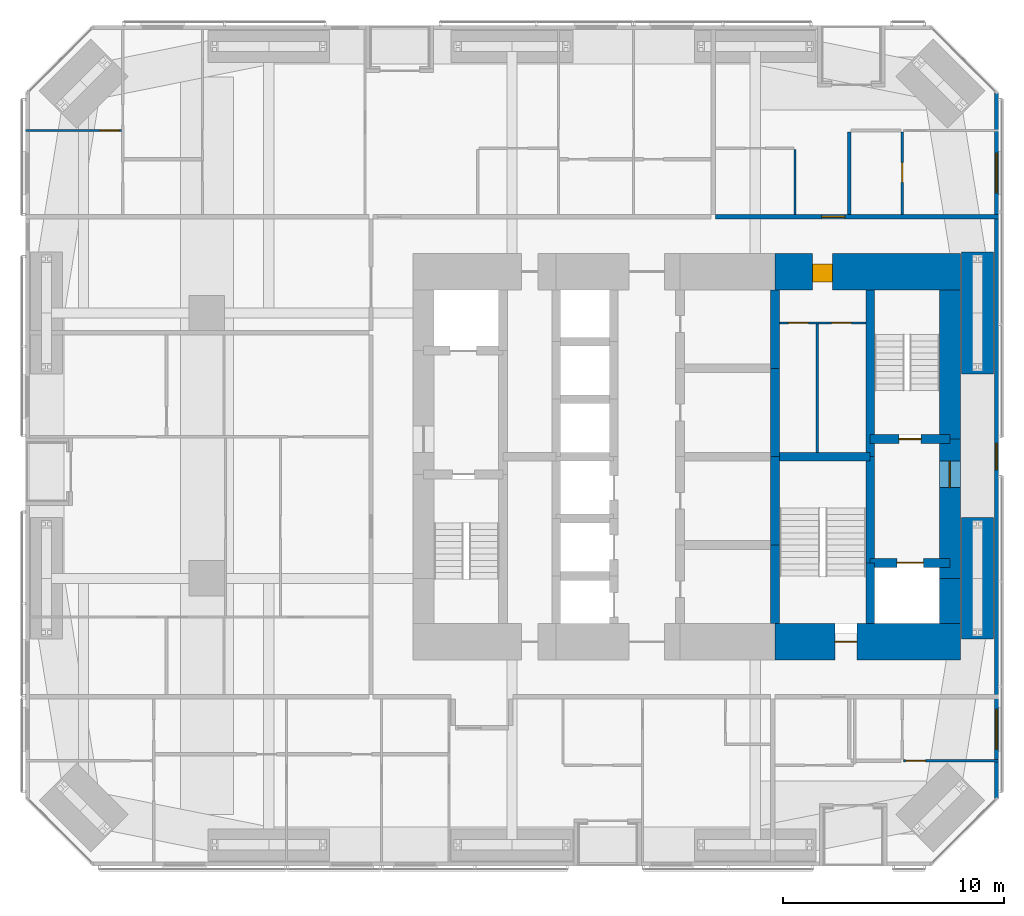
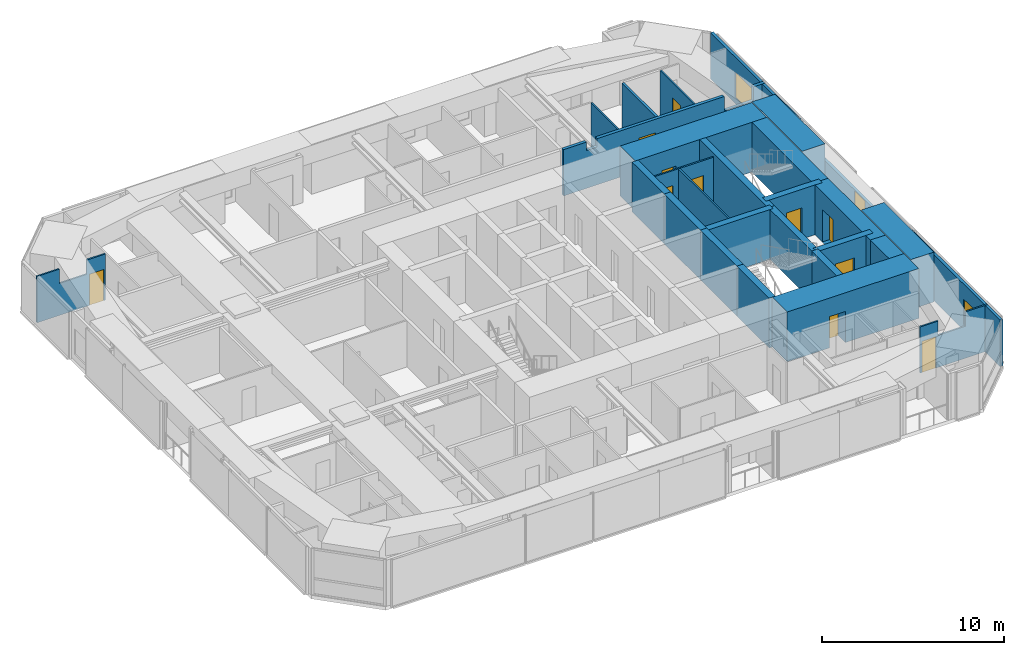
# One storey, part 21 of 24: 26 walls, 11 doors, 3 windows, 14 openings.
"""IFC4 building model written with IfcOpenShell, lengths in metres."""

from ifc_helpers import new_model, si_unit, direction, frame, frame_2d, origin, place, context, subcontext, project, spatial, polyline, rectangle, outline, extrude, material, layer, layer_set, constituent, constituent_set, type_object, element, fill, save


model = new_model("IFC4")

# Units and contexts
model_context = context("Model", 3, precision=1e-05, world=origin(), true_north=direction((0.0, 1.0)))
body_context = subcontext(model_context, "Body", "Model", "MODEL_VIEW")
ifc_project = project(units=[si_unit("LENGTHUNIT", "METRE"), si_unit("AREAUNIT", "SQUARE_METRE"), si_unit("VOLUMEUNIT", "CUBIC_METRE"), si_unit("PLANEANGLEUNIT", "RADIAN"), si_unit("MASSUNIT", "GRAM", prefix="KILO")], contexts=[model_context])

# Site, building, storey
site_placement = place(None, origin())
site = spatial("IfcSite", under=ifc_project, at=site_placement, CompositionType="ELEMENT")
building_placement = place(site_placement, origin())
building = spatial("IfcBuilding", under=site, at=building_placement, Name="Jalousie Tower", CompositionType="ELEMENT")
storey_placement = place(building_placement, frame((0.0, 0.0, 61.199951171875)))
storey = spatial("IfcBuildingStorey", under=building, at=storey_placement, Name="L16", CompositionType="ELEMENT", Elevation=61.199951171875)

# Wall
ifc_material_1 = material(Name="Concrete block ASTM C90", Category="concrete")
ifc_constituent_1 = constituent(ifc_material_1, Name="Body")
ifc_material_2 = material(Name="Render")
ifc_constituent_2 = constituent(ifc_material_2, Name="Finish")
ifc_constituent_set_1 = constituent_set(constituents=[ifc_constituent_1, ifc_constituent_2])
wall_type_1 = type_object("IfcWallType", Name="BATHROOM WALL 150", PredefinedType="PLUMBINGWALL", material=ifc_constituent_set_1)
wall_1_placement = place(storey_placement, frame((39.25, 33.17822265625, 0.0), z_axis=(0.0, 0.0, 1.0), x_axis=(0.0, -1.0, 0.0)))
element("IfcWall", 1, at=wall_1_placement, inside=storey, type_object=wall_type_1, Name="Bathroom Wall 150 L16", PredefinedType="PLUMBINGWALL", context=body_context, shape_type="SweptSolid", body=[
    extrude(rectangle(XDim=3.728271484375, YDim=0.14990234375, at=frame_2d((1.8642578125, 0.0))), origin(), (0.0, 0.0, 1.0), 3.110107421875),
])

# Wall, opening, door
ifc_material_3 = material(Name="Concrete f'c 120 MPa", Category="concrete")
ifc_layer_1 = layer(ifc_material_3, 1.64990234375)
ifc_layer_set_1 = layer_set([ifc_layer_1], Name="Concrete f'c 120 MPa")
wall_type_2 = type_object("IfcWallType", Name="CORE WALL 1650", PredefinedType="SHEAR", material=ifc_layer_set_1)
wall_2_placement = place(storey_placement, frame((35.89990234375, 10.125, 0.0), z_axis=(0.0, 0.0, 1.0), x_axis=(1.0, 0.0, 0.0)))
wall_2 = element("IfcWall", 2, at=wall_2_placement, inside=storey, type_object=wall_type_2, Name="Core wall SD L16", PredefinedType="SHEAR", context=body_context, shape_type="SweptSolid", body=[
    extrude(rectangle(XDim=8.375, YDim=1.64990234375, at=frame_2d((4.1875, 0.0))), origin(), (0.0, 0.0, 1.0), 3.35009765625),
])
opening_1_placement = place(wall_2_placement, frame((2.699951171875, 0.0, 0.0)))
opening_1 = element("IfcOpeningElement", 3, at=opening_1_placement, cuts=wall_2, Name="Opening D10", PredefinedType="OPENING", context=body_context, shape_type="SweptSolid", body=[
    extrude(rectangle(XDim=1.0, YDim=2.10009765625, at=frame_2d((0.5, 1.050048828125))), frame((0.0, 0.8349609375, 0.0), z_axis=(0.0, -1.0, 0.0), x_axis=(1.0, 0.0, 0.0)), (0.0, 0.0, 1.0), 1.669921875),
])
ifc_material_4 = material(Name="Steel fire door", Category="steel")
door_type_1 = type_object("IfcDoorType", Name="STAIR DOOR 1000", OperationType="SINGLE_SWING_LEFT", PredefinedType="DOOR", material=ifc_material_4)
door_1_placement = place(opening_1_placement, origin())
door_1 = element("IfcDoor", 4, at=door_1_placement, inside=storey, type_object=door_type_1, Name="Exit stair C door", OperationType="SINGLE_SWING_RIGHT", OverallHeight=2.10009765625, OverallWidth=1.0, PredefinedType="DOOR", context=body_context, shape_type="SweptSolid", body=[
    extrude(rectangle(XDim=1.0, YDim=2.10009765625, at=frame_2d((0.5, 1.050048828125))), frame((0.0, 0.02490234375, 0.0), z_axis=(0.0, -1.0, 0.0), x_axis=(1.0, 0.0, 0.0)), (0.0, 0.0, 1.0), 0.050048828125),
])
fill(opening_1, door_1)

wall_3_placement = place(storey_placement, frame((44.27490234375, 26.875, 0.0), z_axis=(0.0, 0.0, 1.0), x_axis=(-1.0, 0.0, 0.0)))
wall_3 = element("IfcWall", 5, at=wall_3_placement, inside=storey, type_object=wall_type_2, Name="Core wall NA L16", PredefinedType="SHEAR", context=body_context, shape_type="SweptSolid", body=[
    extrude(rectangle(XDim=8.375, YDim=1.64990234375, at=frame_2d((4.1875, 0.0))), origin(), (0.0, 0.0, 1.0), 3.35009765625),
])
opening_2_placement = place(wall_3_placement, frame((5.77490234375, 0.0, 0.0)))
opening_2 = element("IfcOpeningElement", 6, at=opening_2_placement, cuts=wall_3, Name="Opening D25", PredefinedType="OPENING", context=body_context, shape_type="SweptSolid", body=[
    extrude(rectangle(XDim=0.89990234375, YDim=2.10009765625, at=frame_2d((0.449951171875, 1.050048828125))), frame((0.0, 0.8349609375, 0.0), z_axis=(0.0, -1.0, 0.0), x_axis=(1.0, 0.0, 0.0)), (0.0, 0.0, 1.0), 1.669921875),
])
ifc_material_5 = material(Name="Steel fire door", Category="steel")
door_type_2 = type_object("IfcDoorType", Name="SERVICE LOBBY DOOR 900", OperationType="SINGLE_SWING_LEFT", PredefinedType="DOOR", material=ifc_material_5)
door_2_placement = place(opening_2_placement, origin())
door_2 = element("IfcDoor", 7, at=door_2_placement, inside=storey, type_object=door_type_2, Name="Service lobby door", OperationType="SINGLE_SWING_RIGHT", OverallHeight=2.10009765625, OverallWidth=0.89990234375, PredefinedType="DOOR", context=body_context, shape_type="SweptSolid", body=[
    extrude(rectangle(XDim=0.89990234375, YDim=2.10009765625, at=frame_2d((0.449951171875, 1.050048828125))), frame((0.0, 0.47021484375, 0.0), z_axis=(0.0, -1.0, 0.0), x_axis=(1.0, 0.0, 0.0)), (0.0, 0.0, 1.0), 0.800048828125),
])
fill(opening_2, door_2)

# Walls
ifc_material_6 = material(Name="Concrete f'c 120 MPa", Category="concrete")
ifc_layer_2 = layer(ifc_material_6, 0.39990234375)
ifc_layer_set_2 = layer_set([ifc_layer_2], Name="Concrete f'c 120 MPa")
wall_type_3 = type_object("IfcWallType", Name="CORE WALL 400", PredefinedType="SHEAR", material=ifc_layer_set_2)
wall_4_placement = place(storey_placement, frame((35.89990234375, 10.949951171875, 0.0), z_axis=(0.0, 0.0, 1.0), x_axis=(0.0, 1.0, 0.0)))
element("IfcWall", 8, at=wall_4_placement, inside=storey, type_object=wall_type_3, Name="Core wall X35.9A L16", PredefinedType="SHEAR", context=body_context, shape_type="SweptSolid", body=[
    extrude(rectangle(XDim=3.550048828125, YDim=0.39990234375, at=frame_2d((1.77490234375, 0.0))), origin(), (0.0, 0.0, 1.0), 3.35009765625),
])
for number, where, z_axis, x_axis, name in (
    (9, (35.89990234375, 14.5, 0.0), (0.0, 0.0, 1.0), (0.0, 1.0, 0.0), "Core wall X35.9B L16"),
    (10, (35.89990234375, 18.5, 0.0), (0.0, 0.0, 1.0), (0.0, 1.0, 0.0), "Core wall X35.9C L16"),
):
    element("IfcWall", number, at=place(storey_placement, frame(where, z_axis=z_axis, x_axis=x_axis)), inside=storey, type_object=wall_type_3, Name=name, PredefinedType="SHEAR", context=body_context, shape_type="SweptSolid", body=[
        extrude(rectangle(XDim=4.0, YDim=0.39990234375, at=frame_2d((2.0, 0.0))), origin(), (0.0, 0.0, 1.0), 3.35009765625),
    ])
wall_5_placement = place(storey_placement, frame((35.89990234375, 22.5, 0.0), z_axis=(0.0, 0.0, 1.0), x_axis=(0.0, 1.0, 0.0)))
element("IfcWall", 11, at=wall_5_placement, inside=storey, type_object=wall_type_3, Name="Core wall X35.9D L16", PredefinedType="SHEAR", context=body_context, shape_type="SweptSolid", body=[
    extrude(rectangle(XDim=3.550048828125, YDim=0.39990234375, at=frame_2d((1.77490234375, 0.0))), origin(), (0.0, 0.0, 1.0), 3.35009765625),
])
wall_6_placement = place(storey_placement, frame((40.199951171875, 10.949951171875, 0.0), z_axis=(0.0, 0.0, 1.0), x_axis=(0.0, 1.0, 0.0)))
element("IfcWall", 12, at=wall_6_placement, inside=storey, type_object=wall_type_3, Name="Core wall X40.2A L16", PredefinedType="SHEAR", context=body_context, shape_type="SweptSolid", body=[
    extrude(rectangle(XDim=2.75, YDim=0.39990234375, at=frame_2d((1.375, 0.0))), origin(), (0.0, 0.0, 1.0), 3.35009765625),
])
wall_7_placement = place(storey_placement, frame((40.199951171875, 13.699951171875, 0.0), z_axis=(0.0, 0.0, 1.0), x_axis=(0.0, 1.0, 0.0)))
element("IfcWall", 13, at=wall_7_placement, inside=storey, type_object=wall_type_3, Name="Core wall X40.2B L16", PredefinedType="SHEAR", context=body_context, shape_type="SweptSolid", body=[
    extrude(rectangle(XDim=4.800048828125, YDim=0.39990234375, at=frame_2d((2.39990234375, 0.0))), origin(), (0.0, 0.0, 1.0), 3.35009765625),
])
wall_8_placement = place(storey_placement, frame((40.199951171875, 18.5, 0.0), z_axis=(0.0, 0.0, 1.0), x_axis=(0.0, 1.0, 0.0)))
element("IfcWall", 14, at=wall_8_placement, inside=storey, type_object=wall_type_3, Name="Core wall X40.2C L16", PredefinedType="SHEAR", context=body_context, shape_type="SweptSolid", body=[
    extrude(rectangle(XDim=7.550048828125, YDim=0.39990234375, at=frame_2d((3.77490234375, 0.0))), origin(), (0.0, 0.0, 1.0), 3.35009765625),
])
wall_9_placement = place(storey_placement, frame((35.89990234375, 18.5, 0.0), z_axis=(0.0, 0.0, 1.0), x_axis=(1.0, 0.0, 0.0)))
element("IfcWall", 15, at=wall_9_placement, inside=storey, type_object=wall_type_3, Name="Core wall Y35.9-18.5 L16", PredefinedType="SHEAR", context=body_context, shape_type="SweptSolid", body=[
    extrude(rectangle(XDim=4.300048828125, YDim=0.39990234375, at=frame_2d((2.14990234375, 0.0))), origin(), (0.0, 0.0, 1.0), 3.35009765625),
])

# Wall, opening, door
wall_10_placement = place(storey_placement, frame((40.199951171875, 13.699951171875, 0.0), z_axis=(0.0, 0.0, 1.0), x_axis=(1.0, 0.0, 0.0)))
wall_10 = element("IfcWall", 16, at=wall_10_placement, inside=storey, type_object=wall_type_3, Name="Core wall Y40.2-13.7 L16", PredefinedType="SHEAR", context=body_context, shape_type="SweptSolid", body=[
    extrude(rectangle(XDim=3.60009765625, YDim=0.39990234375, at=frame_2d((1.800048828125, 0.0))), origin(), (0.0, 0.0, 1.0), 3.35009765625),
])
opening_3_placement = place(wall_10_placement, frame((1.199951171875, 0.0, 0.0)))
opening_3 = element("IfcOpeningElement", 17, at=opening_3_placement, cuts=wall_10, Name="Opening LD2", PredefinedType="OPENING", context=body_context, shape_type="SweptSolid", body=[
    extrude(rectangle(XDim=1.199951171875, YDim=2.10009765625, at=frame_2d((0.60009765625, 1.050048828125))), frame((0.0, 0.2099609375, 0.0), z_axis=(0.0, -1.0, 0.0), x_axis=(1.0, 0.0, 0.0)), (0.0, 0.0, 1.0), 0.419921875),
])
ifc_material_7 = material(Name="Steel lift landing door", Category="steel")
door_type_3 = type_object("IfcDoorType", Name="LIFT LANDING DOOR 1200", OperationType="SLIDING_TO_LEFT", PredefinedType="DOOR", material=ifc_material_7)
door_3_placement = place(opening_3_placement, origin())
door_3 = element("IfcDoor", 18, at=door_3_placement, inside=storey, type_object=door_type_3, Name="Lift F2 landing door", OperationType="SLIDING_TO_LEFT", OverallHeight=2.10009765625, OverallWidth=1.199951171875, PredefinedType="DOOR", context=body_context, shape_type="SweptSolid", body=[
    extrude(rectangle(XDim=1.199951171875, YDim=2.10009765625, at=frame_2d((0.60009765625, 1.050048828125))), frame((0.0, 0.02490234375, 0.0), z_axis=(0.0, -1.0, 0.0), x_axis=(1.0, 0.0, 0.0)), (0.0, 0.0, 1.0), 0.050048828125),
])
fill(opening_3, door_3)

wall_11_placement = place(storey_placement, frame((40.199951171875, 19.300048828125, 0.0), z_axis=(0.0, 0.0, 1.0), x_axis=(1.0, 0.0, 0.0)))
wall_11 = element("IfcWall", 19, at=wall_11_placement, inside=storey, type_object=wall_type_3, Name="Core wall Y40.2-19.3 L16", PredefinedType="SHEAR", context=body_context, shape_type="SweptSolid", body=[
    extrude(rectangle(XDim=3.60009765625, YDim=0.39990234375, at=frame_2d((1.800048828125, 0.0))), origin(), (0.0, 0.0, 1.0), 3.35009765625),
])
opening_4_placement = place(wall_11_placement, frame((1.300048828125, 0.0, 0.0)))
opening_4 = element("IfcOpeningElement", 20, at=opening_4_placement, cuts=wall_11, Name="Opening D10", PredefinedType="OPENING", context=body_context, shape_type="SweptSolid", body=[
    extrude(rectangle(XDim=1.0, YDim=2.10009765625, at=frame_2d((0.5, 1.050048828125))), frame((0.0, 0.2099609375, 0.0), z_axis=(0.0, -1.0, 0.0), x_axis=(1.0, 0.0, 0.0)), (0.0, 0.0, 1.0), 0.419921875),
])
door_4_placement = place(opening_4_placement, origin())
door_4 = element("IfcDoor", 21, at=door_4_placement, inside=storey, type_object=door_type_1, Name="Exit stair B door", OperationType="SINGLE_SWING_RIGHT", OverallHeight=2.10009765625, OverallWidth=1.0, PredefinedType="DOOR", context=body_context, shape_type="SweptSolid", body=[
    extrude(rectangle(XDim=1.0, YDim=2.10009765625, at=frame_2d((0.5, 1.050048828125))), frame((0.0, 0.02490234375, 0.0), z_axis=(0.0, -1.0, 0.0), x_axis=(1.0, 0.0, 0.0)), (0.0, 0.0, 1.0), 0.050048828125),
])
fill(opening_4, door_4)

# Wall
ifc_material_8 = material(Name="Concrete f'c 120 MPa", Category="concrete")
ifc_layer_3 = layer(ifc_material_8, 0.949951171875)
ifc_layer_set_3 = layer_set([ifc_layer_3], Name="Concrete f'c 120 MPa")
wall_type_4 = type_object("IfcWallType", Name="CORE WALL 950", PredefinedType="SHEAR", material=ifc_layer_set_3)
wall_12_placement = place(storey_placement, frame((43.800048828125, 10.949951171875, 0.0), z_axis=(0.0, 0.0, 1.0), x_axis=(0.0, 1.0, 0.0)))
element("IfcWall", 22, at=wall_12_placement, inside=storey, type_object=wall_type_4, Name="Core wall EA L16", PredefinedType="SHEAR", context=body_context, shape_type="SweptSolid", body=[
    extrude(rectangle(XDim=2.050048828125, YDim=0.949951171875, at=frame_2d((1.02490234375, 0.0))), origin(), (0.0, 0.0, 1.0), 3.35009765625),
])

# Wall, opening, door
wall_13_placement = place(storey_placement, frame((43.800048828125, 13.0, 0.0), z_axis=(0.0, 0.0, 1.0), x_axis=(0.0, 1.0, 0.0)))
wall_13 = element("IfcWall", 23, at=wall_13_placement, inside=storey, type_object=wall_type_4, Name="Core wall EB L16", PredefinedType="SHEAR", context=body_context, shape_type="SweptSolid", body=[
    extrude(rectangle(XDim=6.300048828125, YDim=0.949951171875, at=frame_2d((3.14990234375, 0.0))), origin(), (0.0, 0.0, 1.0), 3.35009765625),
])
opening_5_placement = place(wall_13_placement, frame((4.10009765625, 0.0, 0.0)))
opening_5 = element("IfcOpeningElement", 24, at=opening_5_placement, cuts=wall_13, Name="Opening D11", PredefinedType="OPENING", context=body_context, shape_type="SweptSolid", body=[
    extrude(rectangle(XDim=1.199951171875, YDim=2.199951171875, at=frame_2d((0.60009765625, 1.10009765625))), frame((0.0, 0.48486328125, 0.0), z_axis=(0.0, -1.0, 0.0), x_axis=(1.0, 0.0, 0.0)), (0.0, 0.0, 1.0), 0.969970703125),
])
ifc_material_9 = material(Name="Steel fire door", Category="steel")
door_type_4 = type_object("IfcDoorType", Name="FIRE DOOR 1200", OperationType="SINGLE_SWING_LEFT", PredefinedType="DOOR", material=ifc_material_9)
door_5_placement = place(opening_5_placement, origin())
door_5 = element("IfcDoor", 25, at=door_5_placement, inside=storey, type_object=door_type_4, Name="Fire-fighting lobby B door", OperationType="SINGLE_SWING_RIGHT", OverallHeight=2.199951171875, OverallWidth=1.199951171875, PredefinedType="DOOR", context=body_context, shape_type="SweptSolid", body=[
    extrude(rectangle(XDim=1.199951171875, YDim=2.199951171875, at=frame_2d((0.60009765625, 1.10009765625))), frame((0.0, 0.02490234375, 0.0), z_axis=(0.0, -1.0, 0.0), x_axis=(1.0, 0.0, 0.0)), (0.0, 0.0, 1.0), 0.050048828125),
])
fill(opening_5, door_5)

# Wall
wall_14_placement = place(storey_placement, frame((43.800048828125, 19.300048828125, 0.0), z_axis=(0.0, 0.0, 1.0), x_axis=(0.0, 1.0, 0.0)))
element("IfcWall", 26, at=wall_14_placement, inside=storey, type_object=wall_type_4, Name="Core wall EC L16", PredefinedType="SHEAR", context=body_context, shape_type="SweptSolid", body=[
    extrude(rectangle(XDim=6.75, YDim=0.949951171875, at=frame_2d((3.375, 0.0))), origin(), (0.0, 0.0, 1.0), 3.35009765625),
])

# Wall, opening, door
ifc_material_10 = material(Name="Concrete block ASTM C90", Category="concrete")
ifc_constituent_3 = constituent(ifc_material_10, Name="Body")
ifc_material_11 = material(Name="Render")
ifc_constituent_4 = constituent(ifc_material_11, Name="Finish")
ifc_constituent_set_2 = constituent_set(constituents=[ifc_constituent_3, ifc_constituent_4])
wall_type_5 = type_object("IfcWallType", Name="CORRIDOR WALL 200", PredefinedType="PARTITIONING", material=ifc_constituent_set_2)
wall_15_placement = place(storey_placement, frame((33.199951171875, 29.35009765625, 0.0), z_axis=(0.0, 0.0, 1.0), x_axis=(1.0, 0.0, 0.0)))
wall_15 = element("IfcWall", 27, at=wall_15_placement, inside=storey, type_object=wall_type_5, Name="Corridor Wall 200 L16", PredefinedType="PARTITIONING", context=body_context, shape_type="SweptSolid", body=[
    extrude(outline(polyline([(0.0, 0.0), (12.800048828125, 0.0), (12.800048828125, 3.110107421875), (12.06640625, 3.110107421875), (12.06640625, 2.150146484375), (10.22265625, 2.150146484375), (10.22265625, 3.110107421875), (2.13720703125, 3.110107421875), (2.13720703125, 2.541015625), (1.462646484375, 2.541015625), (1.462646484375, 3.110107421875), (0.0, 3.110107421875), (0.0, 0.0)])), frame((0.0, 0.10009765625, 0.0), z_axis=(0.0, -1.0, 0.0), x_axis=(1.0, 0.0, 0.0)), (0.0, 0.0, 1.0), 0.199951171875),
])
opening_6_placement = place(wall_15_placement, frame((4.800048828125, 0.0, 0.0)))
opening_6 = element("IfcOpeningElement", 28, at=opening_6_placement, cuts=wall_15, Name="Opening D1", PredefinedType="OPENING", context=body_context, shape_type="SweptSolid", body=[
    extrude(rectangle(XDim=1.050048828125, YDim=2.199951171875, at=frame_2d((0.52490234375, 1.10009765625))), frame((0.0, 0.10986328125, 0.0), z_axis=(0.0, -1.0, 0.0), x_axis=(1.0, 0.0, 0.0)), (0.0, 0.0, 1.0), 0.219970703125),
])
ifc_material_12 = material(Name="Timber fire door", Category="wood")
door_type_5 = type_object("IfcDoorType", Name="APARTMENT ENTRANCE DOOR 1050", OperationType="SINGLE_SWING_LEFT", PredefinedType="DOOR", material=ifc_material_12)
door_6_placement = place(opening_6_placement, origin())
door_6 = element("IfcDoor", 29, at=door_6_placement, inside=storey, type_object=door_type_5, Name="Apartment 1604 entrance", OperationType="SINGLE_SWING_RIGHT", OverallHeight=2.199951171875, OverallWidth=1.050048828125, PredefinedType="DOOR", context=body_context, shape_type="SweptSolid", body=[
    extrude(rectangle(XDim=1.050048828125, YDim=2.199951171875, at=frame_2d((0.52490234375, 1.10009765625))), frame((0.0, 0.02490234375, 0.0), z_axis=(0.0, -1.0, 0.0), x_axis=(1.0, 0.0, 0.0)), (0.0, 0.0, 1.0), 0.050048828125),
])
fill(opening_6, door_6)

# Wall, openings, windows
ifc_material_13 = material(Name="Concrete f'c 40 MPa", Category="concrete")
ifc_constituent_5 = constituent(ifc_material_13, Name="Body")
ifc_material_14 = material(Name="Render, pastel coral")
ifc_constituent_6 = constituent(ifc_material_14, Name="Finish")
ifc_constituent_set_3 = constituent_set(constituents=[ifc_constituent_5, ifc_constituent_6])
wall_type_6 = type_object("IfcWallType", Name="EXTERNAL WALL 175 CORAL RENDER", PredefinedType="SOLIDWALL", material=ifc_constituent_set_3)
wall_16_placement = place(storey_placement, frame((45.91259765625, 3.05126953125, 0.0), z_axis=(0.0, 0.0, 1.0), x_axis=(0.0, 1.0, 0.0)))
wall_16 = element("IfcWall", 30, at=wall_16_placement, inside=storey, type_object=wall_type_6, Name="External Wall 175 Coral Render L16", PredefinedType="SOLIDWALL", context=body_context, shape_type="SweptSolid", body=[
    extrude(outline(polyline([(0.0, 0.0), (31.8974609375, 0.0), (31.8974609375, 3.110107421875), (22.167236328125, 3.110107421875), (22.167236328125, 2.150146484375), (22.074462890625, 2.150146484375), (22.074462890625, 3.110107421875), (21.94873046875, 3.110107421875), (21.94873046875, 2.150146484375), (9.94873046875, 2.150146484375), (9.94873046875, 3.110107421875), (9.822998046875, 3.110107421875), (9.822998046875, 2.150146484375), (9.72998046875, 2.150146484375), (9.72998046875, 3.110107421875), (0.0, 3.110107421875), (0.0, 0.0)])), frame((0.0, 0.08740234375, 0.0), z_axis=(0.0, -1.0, 0.0), x_axis=(1.0, 0.0, 0.0)), (0.0, 0.0, 1.0), 0.175048828125),
])
opening_7_placement = place(wall_16_placement, frame((2.22216796875, 0.0, 0.39990234375)))
opening_7 = element("IfcOpeningElement", 31, at=opening_7_placement, cuts=wall_16, Name="Opening W-BED170", PredefinedType="OPENING", context=body_context, shape_type="SweptSolid", body=[
    extrude(rectangle(XDim=1.800048828125, YDim=1.699951171875, at=frame_2d((0.89990234375, 0.85009765625))), frame((0.0, 0.097412109375, 0.0), z_axis=(0.0, -1.0, 0.0), x_axis=(1.0, 0.0, 0.0)), (0.0, 0.0, 1.0), 0.195068359375),
])
opening_8_placement = place(wall_16_placement, frame((14.8486328125, 0.0, 0.39990234375)))
opening_8 = element("IfcOpeningElement", 32, at=opening_8_placement, cuts=wall_16, Name="Opening W-COR170", PredefinedType="OPENING", context=body_context, shape_type="SweptSolid", body=[
    extrude(rectangle(XDim=1.199951171875, YDim=1.699951171875, at=frame_2d((0.60009765625, 0.85009765625))), frame((0.0, 0.097412109375, 0.0), z_axis=(0.0, -1.0, 0.0), x_axis=(1.0, 0.0, 0.0)), (0.0, 0.0, 1.0), 0.195068359375),
])
opening_9_placement = place(wall_16_placement, frame((27.37548828125, 0.0, 0.39990234375)))
opening_9 = element("IfcOpeningElement", 33, at=opening_9_placement, cuts=wall_16, Name="Opening W-BED170", PredefinedType="OPENING", context=body_context, shape_type="SweptSolid", body=[
    extrude(rectangle(XDim=1.800048828125, YDim=1.699951171875, at=frame_2d((0.89990234375, 0.85009765625))), frame((0.0, 0.097412109375, 0.0), z_axis=(0.0, -1.0, 0.0), x_axis=(1.0, 0.0, 0.0)), (0.0, 0.0, 1.0), 0.195068359375),
])
ifc_material_15 = material(Name="Aluminium frame, impact-rated glazing", Category="aluminium")
window_type_1 = type_object("IfcWindowType", Name="WINDOW BED 1800x1700", PartitioningType="SINGLE_PANEL", PredefinedType="WINDOW", material=ifc_material_15)
window_1_placement = place(opening_7_placement, origin())
window_1 = element("IfcWindow", 34, at=window_1_placement, inside=storey, type_object=window_type_1, Name="Apartment 1602 bedroom 1 window", OverallHeight=1.699951171875, OverallWidth=1.800048828125, PartitioningType="SINGLE_PANEL", PredefinedType="WINDOW", context=body_context, shape_type="SweptSolid", body=[
    extrude(rectangle(XDim=1.800048828125, YDim=1.699951171875, at=frame_2d((0.89990234375, 0.85009765625))), frame((0.0, 0.030029296875, 0.0), z_axis=(0.0, -1.0, 0.0), x_axis=(1.0, 0.0, 0.0)), (0.0, 0.0, 1.0), 0.06005859375),
])
fill(opening_7, window_1)
window_2_placement = place(opening_9_placement, origin())
window_2 = element("IfcWindow", 35, at=window_2_placement, inside=storey, type_object=window_type_1, Name="Apartment 1604 bedroom 1 window", OverallHeight=1.699951171875, OverallWidth=1.800048828125, PartitioningType="SINGLE_PANEL", PredefinedType="WINDOW", context=body_context, shape_type="SweptSolid", body=[
    extrude(rectangle(XDim=1.800048828125, YDim=1.699951171875, at=frame_2d((0.89990234375, 0.85009765625))), frame((0.0, 0.030029296875, 0.0), z_axis=(0.0, -1.0, 0.0), x_axis=(1.0, 0.0, 0.0)), (0.0, 0.0, 1.0), 0.06005859375),
])
fill(opening_9, window_2)
ifc_material_16 = material(Name="Aluminium frame, impact-rated glazing", Category="aluminium")
window_type_2 = type_object("IfcWindowType", Name="WINDOW COR 1200x1700", PartitioningType="SINGLE_PANEL", PredefinedType="WINDOW", material=ifc_material_16)
window_3_placement = place(opening_8_placement, origin())
window_3 = element("IfcWindow", 36, at=window_3_placement, inside=storey, type_object=window_type_2, Name="Corridor window", OverallHeight=1.699951171875, OverallWidth=1.199951171875, PartitioningType="SINGLE_PANEL", PredefinedType="WINDOW", context=body_context, shape_type="SweptSolid", body=[
    extrude(rectangle(XDim=1.199951171875, YDim=1.699951171875, at=frame_2d((0.60009765625, 0.85009765625))), frame((0.0, 0.030029296875, 0.0), z_axis=(0.0, -1.0, 0.0), x_axis=(1.0, 0.0, 0.0)), (0.0, 0.0, 1.0), 0.06005859375),
])
fill(opening_8, window_3)

# Wall, opening, door
ifc_material_17 = material(Name="Gypsum board", Category="gypsum")
ifc_constituent_7 = constituent(ifc_material_17, Name="Body")
ifc_material_18 = material(Name="Light-gauge steel studs ASTM A653 SS Grade 33", Category="steel")
ifc_constituent_8 = constituent(ifc_material_18, Name="Framing")
ifc_constituent_set_4 = constituent_set(constituents=[ifc_constituent_7, ifc_constituent_8])
wall_type_7 = type_object("IfcWallType", Name="PARTITION 100", PredefinedType="PARTITIONING", material=ifc_constituent_set_4)
wall_17_placement = place(storey_placement, frame((41.699951171875, 4.74658203125, 0.0), z_axis=(0.0, 0.0, 1.0), x_axis=(1.0, 0.0, 0.0)))
wall_17 = element("IfcWall", 37, at=wall_17_placement, inside=storey, type_object=wall_type_7, Name="Partition 100 L16", PredefinedType="PARTITIONING", context=body_context, shape_type="SweptSolid", body=[
    extrude(outline(polyline([(0.0, 0.0), (4.300048828125, 0.0), (4.300048828125, 3.110107421875), (2.8828125, 3.110107421875), (2.8828125, 2.150146484375), (1.140380859375, 2.150146484375), (1.140380859375, 3.110107421875), (0.0, 3.110107421875), (0.0, 0.0)])), frame((0.0, 0.050048828125, 0.0), z_axis=(0.0, -1.0, 0.0), x_axis=(1.0, 0.0, 0.0)), (0.0, 0.0, 1.0), 0.10009765625),
])
opening_10_placement = place(wall_17_placement, frame((0.10009765625, 0.0, 0.0)))
opening_10 = element("IfcOpeningElement", 38, at=opening_10_placement, cuts=wall_17, Name="Opening D2", PredefinedType="OPENING", context=body_context, shape_type="SweptSolid", body=[
    extrude(rectangle(XDim=0.89990234375, YDim=2.10009765625, at=frame_2d((0.449951171875, 1.050048828125))), frame((0.0, 0.06005859375, 0.0), z_axis=(0.0, -1.0, 0.0), x_axis=(1.0, 0.0, 0.0)), (0.0, 0.0, 1.0), 0.1201171875),
])
ifc_material_19 = material(Name="Timber door", Category="wood")
door_type_6 = type_object("IfcDoorType", Name="BEDROOM DOOR 900", OperationType="SINGLE_SWING_LEFT", PredefinedType="DOOR", material=ifc_material_19)
door_7_placement = place(opening_10_placement, origin())
door_7 = element("IfcDoor", 39, at=door_7_placement, inside=storey, type_object=door_type_6, Name="Apartment 1602 bedroom 1 door", OperationType="SINGLE_SWING_LEFT", OverallHeight=2.10009765625, OverallWidth=0.89990234375, PredefinedType="DOOR", context=body_context, shape_type="SweptSolid", body=[
    extrude(rectangle(XDim=0.89990234375, YDim=2.10009765625, at=frame_2d((0.449951171875, 1.050048828125))), frame((0.0, 0.02490234375, 0.0), z_axis=(0.0, -1.0, 0.0), x_axis=(1.0, 0.0, 0.0)), (0.0, 0.0, 1.0), 0.050048828125),
])
fill(opening_10, door_7)

wall_18_placement = place(storey_placement, frame((2.0, 33.25341796875, 0.0), z_axis=(0.0, 0.0, 1.0), x_axis=(1.0, 0.0, 0.0)))
wall_18 = element("IfcWall", 40, at=wall_18_placement, inside=storey, type_object=wall_type_7, Name="Partition 100 L16", PredefinedType="PARTITIONING", context=body_context, shape_type="SweptSolid", body=[
    extrude(outline(polyline([(0.0, 0.0), (4.35009765625, 0.0), (4.35009765625, 3.110107421875), (3.15966796875, 3.110107421875), (3.15966796875, 2.150146484375), (1.4169921875, 2.150146484375), (1.4169921875, 3.110107421875), (0.0, 3.110107421875), (0.0, 0.0)])), frame((0.0, 0.050048828125, 0.0), z_axis=(0.0, -1.0, 0.0), x_axis=(1.0, 0.0, 0.0)), (0.0, 0.0, 1.0), 0.10009765625),
])
opening_11_placement = place(wall_18_placement, frame((3.35009765625, 0.0, 0.0)))
opening_11 = element("IfcOpeningElement", 41, at=opening_11_placement, cuts=wall_18, Name="Opening D7", PredefinedType="OPENING", context=body_context, shape_type="SweptSolid", body=[
    extrude(rectangle(XDim=0.89990234375, YDim=2.10009765625, at=frame_2d((0.449951171875, 1.050048828125))), frame((0.0, 0.06005859375, 0.0), z_axis=(0.0, -1.0, 0.0), x_axis=(1.0, 0.0, 0.0)), (0.0, 0.0, 1.0), 0.1201171875),
])
ifc_material_20 = material(Name="Timber door", Category="wood")
door_type_7 = type_object("IfcDoorType", Name="INTERNAL DOOR 900", OperationType="SINGLE_SWING_LEFT", PredefinedType="DOOR", material=ifc_material_20)
door_8_placement = place(opening_11_placement, frame((0.89990234375, 0.0, 0.0), z_axis=(0.0, 0.0, 1.0), x_axis=(-1.0, 0.0, 0.0)))
door_8 = element("IfcDoor", 42, at=door_8_placement, inside=storey, type_object=door_type_7, Name="Apartment 1603 bedroom 1 dressing hall door", OperationType="SINGLE_SWING_LEFT", OverallHeight=2.10009765625, OverallWidth=0.89990234375, PredefinedType="DOOR", context=body_context, shape_type="SweptSolid", body=[
    extrude(rectangle(XDim=0.89990234375, YDim=2.10009765625, at=frame_2d((0.449951171875, 1.050048828125))), frame((0.0, 0.02490234375, 0.0), z_axis=(0.0, -1.0, 0.0), x_axis=(1.0, 0.0, 0.0)), (0.0, 0.0, 1.0), 0.050048828125),
])
fill(opening_11, door_8)

wall_19_placement = place(storey_placement, frame((41.64990234375, 33.17822265625, 0.0), z_axis=(0.0, 0.0, 1.0), x_axis=(0.0, -1.0, 0.0)))
wall_19 = element("IfcWall", 43, at=wall_19_placement, inside=storey, type_object=wall_type_7, Name="Partition 100 L16", PredefinedType="PARTITIONING", context=body_context, shape_type="SweptSolid", body=[
    extrude(rectangle(XDim=3.728271484375, YDim=0.10009765625, at=frame_2d((1.8642578125, 0.0))), origin(), (0.0, 0.0, 1.0), 3.110107421875),
])
opening_12_placement = place(wall_19_placement, frame((1.376708984375, 0.0, 0.0)))
opening_12 = element("IfcOpeningElement", 44, at=opening_12_placement, cuts=wall_19, Name="Opening D3", PredefinedType="OPENING", context=body_context, shape_type="SweptSolid", body=[
    extrude(rectangle(XDim=0.89990234375, YDim=2.10009765625, at=frame_2d((0.449951171875, 1.050048828125))), frame((0.0, 0.06005859375, 0.0), z_axis=(0.0, -1.0, 0.0), x_axis=(1.0, 0.0, 0.0)), (0.0, 0.0, 1.0), 0.1201171875),
])
ifc_material_21 = material(Name="Timber door", Category="wood")
door_type_8 = type_object("IfcDoorType", Name="BATHROOM DOOR 900", OperationType="SINGLE_SWING_LEFT", PredefinedType="DOOR", material=ifc_material_21)
door_9_placement = place(opening_12_placement, frame((0.89990234375, 0.0, 0.0), z_axis=(0.0, 0.0, 1.0), x_axis=(-1.0, 0.0, 0.0)))
door_9 = element("IfcDoor", 45, at=door_9_placement, inside=storey, type_object=door_type_8, Name="Apartment 1604 bedroom 1 bathroom door", OperationType="SINGLE_SWING_RIGHT", OverallHeight=2.10009765625, OverallWidth=0.89990234375, PredefinedType="DOOR", context=body_context, shape_type="SweptSolid", body=[
    extrude(rectangle(XDim=0.89990234375, YDim=2.10009765625, at=frame_2d((0.449951171875, 1.050048828125))), frame((0.0, 0.02490234375, 0.0), z_axis=(0.0, -1.0, 0.0), x_axis=(1.0, 0.0, 0.0)), (0.0, 0.0, 1.0), 0.050048828125),
])
fill(opening_12, door_9)

# Wall
wall_20_placement = place(storey_placement, frame((36.800048828125, 32.39990234375, 0.0), z_axis=(0.0, 0.0, 1.0), x_axis=(0.0, -1.0, 0.0)))
element("IfcWall", 46, at=wall_20_placement, inside=storey, type_object=wall_type_7, Name="Partition 100 L16", PredefinedType="PARTITIONING", context=body_context, shape_type="SweptSolid", body=[
    extrude(rectangle(XDim=2.949951171875, YDim=0.10009765625, at=frame_2d((1.47509765625, 0.0))), origin(), (0.0, 0.0, 1.0), 3.110107421875),
])

# Wall, openings, doors
wall_21_placement = place(storey_placement, frame((36.10009765625, 24.550048828125, 0.0), z_axis=(0.0, 0.0, 1.0), x_axis=(1.0, 0.0, 0.0)))
wall_21 = element("IfcWall", 47, at=wall_21_placement, inside=storey, type_object=wall_type_7, Name="Partition 100 L16", PredefinedType="PARTITIONING", context=body_context, shape_type="SweptSolid", body=[
    extrude(rectangle(XDim=3.89990234375, YDim=0.10009765625, at=frame_2d((1.949951171875, 0.0))), origin(), (0.0, 0.0, 1.0), 3.110107421875),
])
opening_13_placement = place(wall_21_placement, frame((0.39990234375, 0.0, 0.0)))
opening_13 = element("IfcOpeningElement", 48, at=opening_13_placement, cuts=wall_21, Name="Opening D7", PredefinedType="OPENING", context=body_context, shape_type="SweptSolid", body=[
    extrude(rectangle(XDim=0.89990234375, YDim=2.10009765625, at=frame_2d((0.449951171875, 1.050048828125))), frame((0.0, 0.06005859375, 0.0), z_axis=(0.0, -1.0, 0.0), x_axis=(1.0, 0.0, 0.0)), (0.0, 0.0, 1.0), 0.1201171875),
])
opening_14_placement = place(wall_21_placement, frame((2.35009765625, 0.0, 0.0)))
opening_14 = element("IfcOpeningElement", 49, at=opening_14_placement, cuts=wall_21, Name="Opening D7", PredefinedType="OPENING", context=body_context, shape_type="SweptSolid", body=[
    extrude(rectangle(XDim=0.89990234375, YDim=2.10009765625, at=frame_2d((0.449951171875, 1.050048828125))), frame((0.0, 0.06005859375, 0.0), z_axis=(0.0, -1.0, 0.0), x_axis=(1.0, 0.0, 0.0)), (0.0, 0.0, 1.0), 0.1201171875),
])
door_10_placement = place(opening_13_placement, frame((0.89990234375, 0.0, 0.0), z_axis=(0.0, 0.0, 1.0), x_axis=(-1.0, 0.0, 0.0)))
door_10 = element("IfcDoor", 50, at=door_10_placement, inside=storey, type_object=door_type_7, Name="Staff WC door", OperationType="SINGLE_SWING_LEFT", OverallHeight=2.10009765625, OverallWidth=0.89990234375, PredefinedType="DOOR", context=body_context, shape_type="SweptSolid", body=[
    extrude(rectangle(XDim=0.89990234375, YDim=2.10009765625, at=frame_2d((0.449951171875, 1.050048828125))), frame((0.0, 0.02490234375, 0.0), z_axis=(0.0, -1.0, 0.0), x_axis=(1.0, 0.0, 0.0)), (0.0, 0.0, 1.0), 0.050048828125),
])
fill(opening_13, door_10)
door_11_placement = place(opening_14_placement, frame((0.89990234375, 0.0, 0.0), z_axis=(0.0, 0.0, 1.0), x_axis=(-1.0, 0.0, 0.0)))
door_11 = element("IfcDoor", 51, at=door_11_placement, inside=storey, type_object=door_type_7, Name="Pantry door", OperationType="SINGLE_SWING_RIGHT", OverallHeight=2.10009765625, OverallWidth=0.89990234375, PredefinedType="DOOR", context=body_context, shape_type="SweptSolid", body=[
    extrude(rectangle(XDim=0.89990234375, YDim=2.10009765625, at=frame_2d((0.449951171875, 1.050048828125))), frame((0.0, 0.02490234375, 0.0), z_axis=(0.0, -1.0, 0.0), x_axis=(1.0, 0.0, 0.0)), (0.0, 0.0, 1.0), 0.050048828125),
])
fill(opening_14, door_11)

# Walls
wall_22_placement = place(storey_placement, frame((37.800048828125, 18.699951171875, 0.0), z_axis=(0.0, 0.0, 1.0), x_axis=(0.0, 1.0, 0.0)))
element("IfcWall", 52, at=wall_22_placement, inside=storey, type_object=wall_type_7, Name="Partition 100 L16", PredefinedType="PARTITIONING", context=body_context, shape_type="SweptSolid", body=[
    extrude(rectangle(XDim=5.800048828125, YDim=0.10009765625, at=frame_2d((2.89990234375, 0.0))), origin(), (0.0, 0.0, 1.0), 3.110107421875),
])
ifc_material_22 = material(Name="Concrete f'c 120 MPa", Category="concrete")
ifc_layer_4 = layer(ifc_material_22, 1.449951171875)
ifc_layer_set_4 = layer_set([ifc_layer_4], Name="Concrete f'c 120 MPa")
wall_type_8 = type_object("IfcWallType", Name="RC WALL PIER 1450", PredefinedType="SHEAR", material=ifc_layer_set_4)
for number, where, z_axis, x_axis, name in (
    (53, (45.050048828125, 10.25, 0.0), (0.0, 0.0, 1.0), (0.0, 1.0, 0.0), "Wall pier 06 L16"),
    (54, (45.050048828125, 22.25, 0.0), (0.0, 0.0, 1.0), (0.0, 1.0, 0.0), "Wall pier 07 L16"),
):
    element("IfcWall", number, at=place(storey_placement, frame(where, z_axis=z_axis, x_axis=x_axis)), inside=storey, type_object=wall_type_8, Name=name, PredefinedType="SHEAR", context=body_context, shape_type="SweptSolid", body=[
        extrude(rectangle(XDim=5.5, YDim=1.449951171875, at=frame_2d((2.75, 0.0))), origin(), (0.0, 0.0, 1.0), 3.35009765625),
    ])

save(model, "model.ifc")
